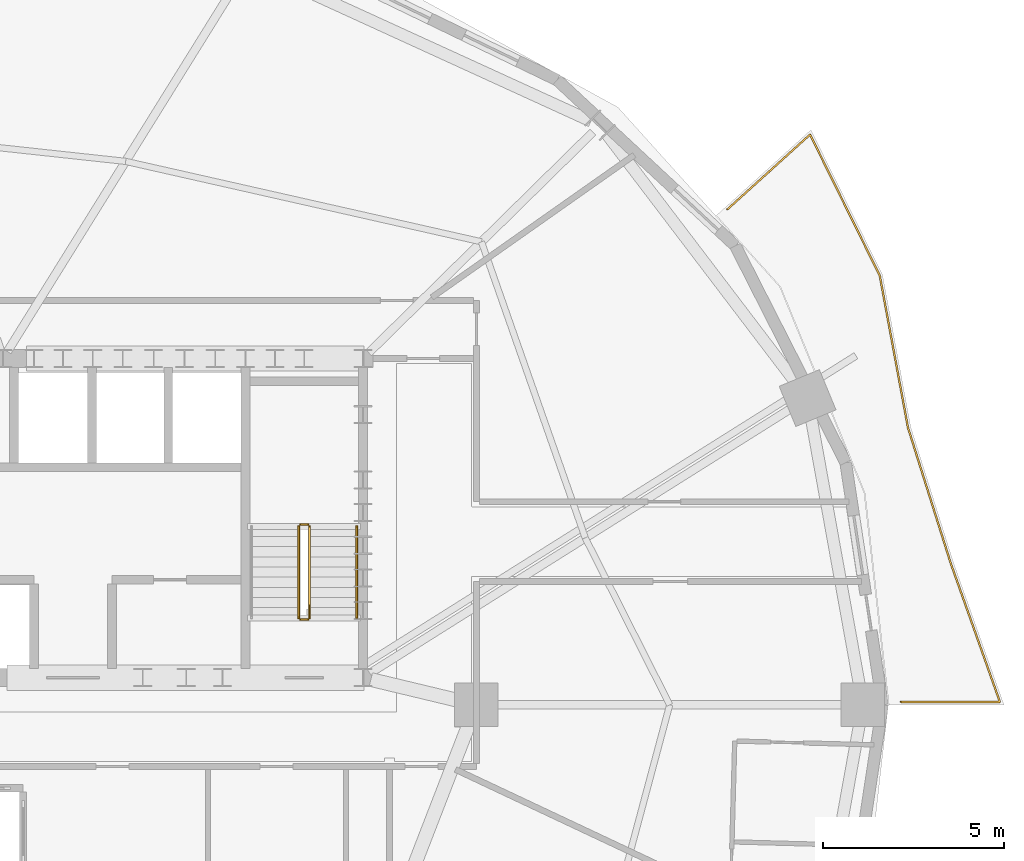
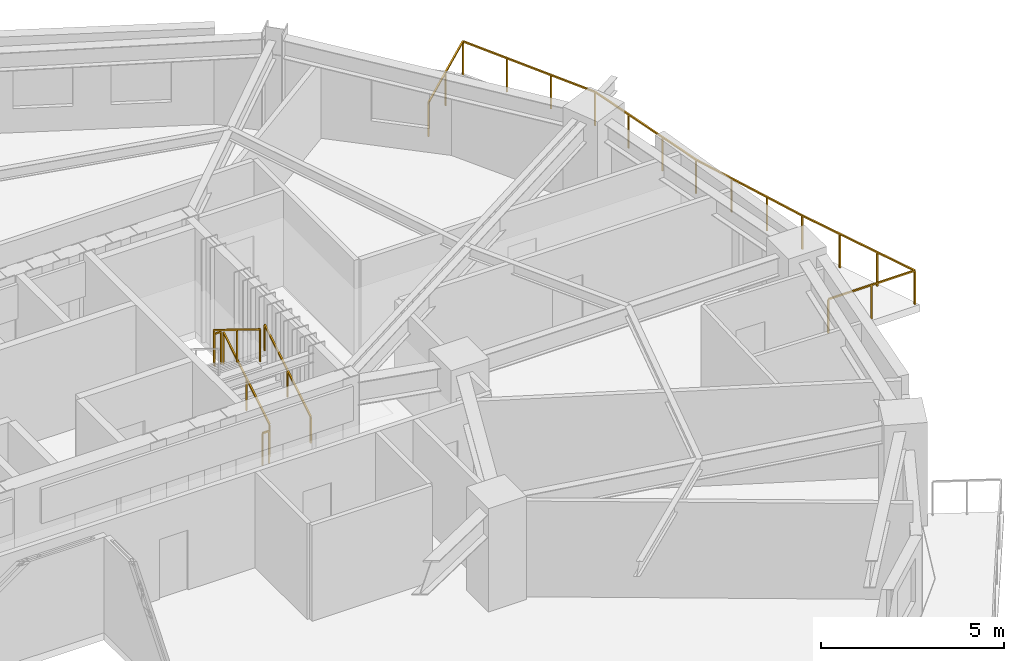
# One storey, part 13 of 13: 6 railings.
"""IFC4 building model written with IfcOpenShell, lengths in metres."""

from ifc_helpers import new_model, si_unit, direction, frame, origin, origin_2d, place, context, subcontext, project, spatial, rectangle, extrude, material, type_object, element, save


model = new_model("IFC4")

# Units and contexts
model_context = context("Model", 3, precision=1e-05, world=origin(), true_north=direction((0.0, 1.0)))
body_context = subcontext(model_context, "Body", "Model", "MODEL_VIEW")
ifc_project = project(units=[si_unit("LENGTHUNIT", "METRE"), si_unit("AREAUNIT", "SQUARE_METRE"), si_unit("VOLUMEUNIT", "CUBIC_METRE"), si_unit("PLANEANGLEUNIT", "RADIAN"), si_unit("MASSUNIT", "GRAM", prefix="KILO")], contexts=[model_context])

# Site, building, storey
site_placement = place(None, origin())
site = spatial("IfcSite", under=ifc_project, at=site_placement, CompositionType="ELEMENT")
building_placement = place(site_placement, origin())
building = spatial("IfcBuilding", under=site, at=building_placement, Name="Haldorwick Loom Tower", CompositionType="ELEMENT")
storey_placement = place(building_placement, frame((0.0, 0.0, 120.800048828125)))
storey = spatial("IfcBuildingStorey", under=building, at=storey_placement, Name="L32", CompositionType="ELEMENT", Elevation=120.800048828125)

# Railings
ifc_material_1 = material(Name="Galvanized Steel CSA G40.21 350W", Category="steel")
railing_type_1 = type_object("IfcRailingType", Name="ARC-RLG-BAL115", PredefinedType="BALUSTRADE", material=ifc_material_1)
railing_1_placement = place(storey_placement, frame((60.114990234375, 39.657470703125, 0.0)))
element("IfcRailing", 1, at=railing_1_placement, inside=storey, type_object=railing_type_1, Name="L32 Outdoor Terrace Guardrail SLB-L32-BAL_ENE-1", PredefinedType="BALUSTRADE", context=body_context, shape_type="SweptSolid", body=[
    extrude(rectangle(XDim=0.048095703125, YDim=0.048095703125, at=origin_2d()), frame((0.0, 0.0, 1.1259765625), z_axis=(0.74150948075, 0.670942389447, 0.0), x_axis=(-0.670942389447, 0.74150948075, 0.0)), (0.0, 0.0, 1.0), 3.0791015625),
    extrude(rectangle(XDim=0.048095703125, YDim=0.048095703125, at=origin_2d()), frame((2.283203125, 2.06591796875, 1.1259765625), z_axis=(0.442955089551, -0.896543801853, 0.0), x_axis=(0.896543801853, 0.442955089551, 0.0)), (0.0, 0.0, 1.0), 4.33935546875),
    extrude(rectangle(XDim=0.048095703125, YDim=0.048095703125, at=origin_2d()), frame((4.205322265625, -1.824462890625, 1.1259765625), z_axis=(0.182501929729, -0.983205495126, 0.0), x_axis=(0.983205495126, 0.182501929729, 0.0)), (0.0, 0.0, 1.0), 4.258056640625),
    extrude(rectangle(XDim=0.048095703125, YDim=0.048095703125, at=origin_2d()), frame((4.982421875, -6.010986328125, 1.1259765625), z_axis=(0.224859506699, -0.974391195695, 0.0), x_axis=(0.974391195695, 0.224859506699, 0.0)), (0.0, 0.0, 1.0), 0.009765625),
    extrude(rectangle(XDim=0.048095703125, YDim=0.048095703125, at=origin_2d()), frame((4.984619140625, -6.0205078125, 1.1259765625), z_axis=(0.300765464188, -0.953698136494, 0.0), x_axis=(0.953698136494, 0.300765464188, 0.0)), (0.0, 0.0, 1.0), 3.927978515625),
    extrude(rectangle(XDim=0.048095703125, YDim=0.048095703125, at=origin_2d()), frame((6.166015625, -9.7666015625, 1.1259765625), z_axis=(0.341743063087, -0.939793423488, 0.0), x_axis=(0.939793423488, 0.341743063087, 0.0)), (0.0, 0.0, 1.0), 0.0029296875),
    extrude(rectangle(XDim=0.048095703125, YDim=0.048095703125, at=origin_2d()), frame((6.1669921875, -9.769287109375, 1.1259765625), z_axis=(0.334314631432, -0.942461525586, 0.0), x_axis=(0.942461525586, 0.334314631432, 0.0)), (0.0, 0.0, 1.0), 4.04052734375),
    extrude(rectangle(XDim=0.048095703125, YDim=0.048095703125, at=origin_2d()), frame((7.517822265625, -13.577392578125, 1.1259765625), z_axis=(-1.0, 0.0, 0.0), x_axis=(0.0, -1.0, 0.0)), (0.0, 0.0, 1.0), 2.73193359375),
    extrude(rectangle(XDim=0.0419921875, YDim=0.0419921875, at=origin_2d()), origin(), (0.0, 0.0, 1.0), 1.101806640625),
    extrude(rectangle(XDim=0.0419921875, YDim=0.0419921875, at=origin_2d()), frame((1.1416015625, 1.032958984375, 0.0)), (0.0, 0.0, 1.0), 1.101806640625),
    extrude(rectangle(XDim=0.0419921875, YDim=0.0419921875, at=origin_2d()), frame((2.283203125, 2.06591796875, 0.0)), (0.0, 0.0, 1.0), 1.101806640625),
    extrude(rectangle(XDim=0.0419921875, YDim=0.0419921875, at=origin_2d()), frame((2.923828125, 0.76904296875, 0.0)), (0.0, 0.0, 1.0), 1.101806640625),
    extrude(rectangle(XDim=0.0419921875, YDim=0.0419921875, at=origin_2d()), frame((3.564697265625, -0.527587890625, 0.0)), (0.0, 0.0, 1.0), 1.101806640625),
    extrude(rectangle(XDim=0.0419921875, YDim=0.0419921875, at=origin_2d()), frame((4.205322265625, -1.824462890625, 0.0)), (0.0, 0.0, 1.0), 1.101806640625),
    extrude(rectangle(XDim=0.0419921875, YDim=0.0419921875, at=origin_2d()), frame((4.46435546875, -3.219970703125, 0.0)), (0.0, 0.0, 1.0), 1.101806640625),
    extrude(rectangle(XDim=0.0419921875, YDim=0.0419921875, at=origin_2d()), frame((4.723388671875, -4.615478515625, 0.0)), (0.0, 0.0, 1.0), 1.101806640625),
    extrude(rectangle(XDim=0.0419921875, YDim=0.0419921875, at=origin_2d()), frame((4.982421875, -6.010986328125, 0.0)), (0.0, 0.0, 1.0), 1.101806640625),
    extrude(rectangle(XDim=0.0419921875, YDim=0.0419921875, at=origin_2d()), frame((5.37841796875, -7.269287109375, 0.0)), (0.0, 0.0, 1.0), 1.101806640625),
    extrude(rectangle(XDim=0.0419921875, YDim=0.0419921875, at=origin_2d()), frame((5.772216796875, -8.517822265625, 0.0)), (0.0, 0.0, 1.0), 1.101806640625),
    extrude(rectangle(XDim=0.0419921875, YDim=0.0419921875, at=origin_2d()), frame((6.166015625, -9.7666015625, 0.0)), (0.0, 0.0, 1.0), 1.101806640625),
    extrude(rectangle(XDim=0.0419921875, YDim=0.0419921875, at=origin_2d()), frame((6.6171875, -11.03857421875, 0.0)), (0.0, 0.0, 1.0), 1.101806640625),
    extrude(rectangle(XDim=0.0419921875, YDim=0.0419921875, at=origin_2d()), frame((7.067626953125, -12.30810546875, 0.0)), (0.0, 0.0, 1.0), 1.101806640625),
    extrude(rectangle(XDim=0.0419921875, YDim=0.0419921875, at=origin_2d()), frame((7.517822265625, -13.577392578125, 0.0)), (0.0, 0.0, 1.0), 1.101806640625),
    extrude(rectangle(XDim=0.0419921875, YDim=0.0419921875, at=origin_2d()), frame((6.15185546875, -13.577392578125, 0.0)), (0.0, 0.0, 1.0), 1.101806640625),
    extrude(rectangle(XDim=0.0419921875, YDim=0.0419921875, at=origin_2d()), frame((4.785888671875, -13.577392578125, 0.0)), (0.0, 0.0, 1.0), 1.101806640625),
])
ifc_material_2 = material(Name="Steel CSA G40.21 350W", Category="steel")
railing_type_2 = type_object("IfcRailingType", Name="ARC-RLG-GUARD112", PredefinedType="GUARDRAIL", material=ifc_material_2)
railing_2_placement = place(storey_placement, frame((48.60009765625, 28.39990234375, 0.17236328125)))
element("IfcRailing", 2, at=railing_2_placement, inside=storey, type_object=railing_type_2, Name="L32 ST-02 stair guard 1", PredefinedType="GUARDRAIL", context=body_context, shape_type="SweptSolid", body=[
    extrude(rectangle(XDim=0.048095703125, YDim=0.048095703125, at=origin_2d()), frame((0.0, 0.0, 1.076171875), z_axis=(0.0, 0.851400495292, 0.524516154772), x_axis=(-1.0, 0.0, 0.0)), (0.0, 0.0, 1.0), 2.9599609375),
    extrude(rectangle(XDim=0.0419921875, YDim=0.0419921875, at=origin_2d()), origin(), (0.0, 0.0, 1.0), 1.052001953125),
    extrude(rectangle(XDim=0.0419921875, YDim=0.0419921875, at=origin_2d()), frame((0.0, 1.260009765625, 0.7763671875)), (0.0, 0.0, 1.0), 1.052001953125),
    extrude(rectangle(XDim=0.0419921875, YDim=0.0419921875, at=origin_2d()), frame((0.0, 2.52001953125, 1.552490234375)), (0.0, 0.0, 1.0), 1.052001953125),
])
railing_3_placement = place(storey_placement, frame((48.550048828125, 30.969970703125, 1.724853515625)))
element("IfcRailing", 3, at=railing_3_placement, inside=storey, type_object=railing_type_2, Name="L32 ST-02 stair guard 2", PredefinedType="GUARDRAIL", context=body_context, shape_type="SweptSolid", body=[
    extrude(rectangle(XDim=0.048095703125, YDim=0.048095703125, at=origin_2d()), frame((0.0, 0.0, 1.076171875), z_axis=(-1.0, 0.0, 0.0), x_axis=(0.0, -1.0, 0.0)), (0.0, 0.0, 1.0), 0.199951171875),
    extrude(rectangle(XDim=0.0419921875, YDim=0.0419921875, at=origin_2d()), origin(), (0.0, 0.0, 1.0), 1.052001953125),
    extrude(rectangle(XDim=0.0419921875, YDim=0.0419921875, at=origin_2d()), frame((-0.199951171875, 0.0, 0.0)), (0.0, 0.0, 1.0), 1.052001953125),
])
railing_4_placement = place(storey_placement, frame((48.300048828125, 30.919921875, 1.8974609375)))
element("IfcRailing", 4, at=railing_4_placement, inside=storey, type_object=railing_type_2, Name="L32 ST-02 stair guard 3", PredefinedType="GUARDRAIL", context=body_context, shape_type="SweptSolid", body=[
    extrude(rectangle(XDim=0.048095703125, YDim=0.048095703125, at=origin_2d()), frame((0.0, 0.0, 1.076171875), z_axis=(0.0, -0.851400495292, 0.524516154772), x_axis=(1.0, 0.0, 0.0)), (0.0, 0.0, 1.0), 2.9599609375),
    extrude(rectangle(XDim=0.0419921875, YDim=0.0419921875, at=origin_2d()), origin(), (0.0, 0.0, 1.0), 1.052001953125),
    extrude(rectangle(XDim=0.0419921875, YDim=0.0419921875, at=origin_2d()), frame((0.0, -1.260009765625, 0.7763671875)), (0.0, 0.0, 1.0), 1.052001953125),
    extrude(rectangle(XDim=0.0419921875, YDim=0.0419921875, at=origin_2d()), frame((0.0, -2.52001953125, 1.552490234375)), (0.0, 0.0, 1.0), 1.052001953125),
])
railing_5_placement = place(storey_placement, frame((48.550048828125, 28.35009765625, 0.0)))
element("IfcRailing", 5, at=railing_5_placement, inside=storey, type_object=railing_type_2, Name="L32 ST-02 stair guard 4", PredefinedType="GUARDRAIL", context=body_context, shape_type="SweptSolid", body=[
    extrude(rectangle(XDim=0.048095703125, YDim=0.048095703125, at=origin_2d()), frame((0.0, 0.0, 1.076171875), z_axis=(-1.0, 0.0, 0.0), x_axis=(0.0, -1.0, 0.0)), (0.0, 0.0, 1.0), 0.199951171875),
    extrude(rectangle(XDim=0.0419921875, YDim=0.0419921875, at=origin_2d()), origin(), (0.0, 0.0, 1.0), 1.052001953125),
    extrude(rectangle(XDim=0.0419921875, YDim=0.0419921875, at=origin_2d()), frame((-0.199951171875, 0.0, 0.0)), (0.0, 0.0, 1.0), 1.052001953125),
])
railing_type_3 = type_object("IfcRailingType", Name="ARC-RLG-HAND092", PredefinedType="HANDRAIL", material=ifc_material_2)
railing_6_placement = place(storey_placement, frame((49.89990234375, 28.39990234375, 0.17236328125)))
element("IfcRailing", 6, at=railing_6_placement, inside=storey, type_object=railing_type_3, Name="L32 ST-02 stair handrail 1", PredefinedType="HANDRAIL", context=body_context, shape_type="SweptSolid", body=[
    extrude(rectangle(XDim=0.048095703125, YDim=0.048095703125, at=origin_2d()), frame((0.0, 0.0, 0.8759765625), z_axis=(0.0, 0.851400495292, 0.524516154772), x_axis=(-1.0, 0.0, 0.0)), (0.0, 0.0, 1.0), 2.9599609375),
    extrude(rectangle(XDim=0.0419921875, YDim=0.0419921875, at=origin_2d()), origin(), (0.0, 0.0, 1.0), 0.851806640625),
    extrude(rectangle(XDim=0.0419921875, YDim=0.0419921875, at=origin_2d()), frame((0.0, 1.260009765625, 0.7763671875)), (0.0, 0.0, 1.0), 0.851806640625),
    extrude(rectangle(XDim=0.0419921875, YDim=0.0419921875, at=origin_2d()), frame((0.0, 2.52001953125, 1.552490234375)), (0.0, 0.0, 1.0), 0.851806640625),
])

save(model, "model.ifc")
